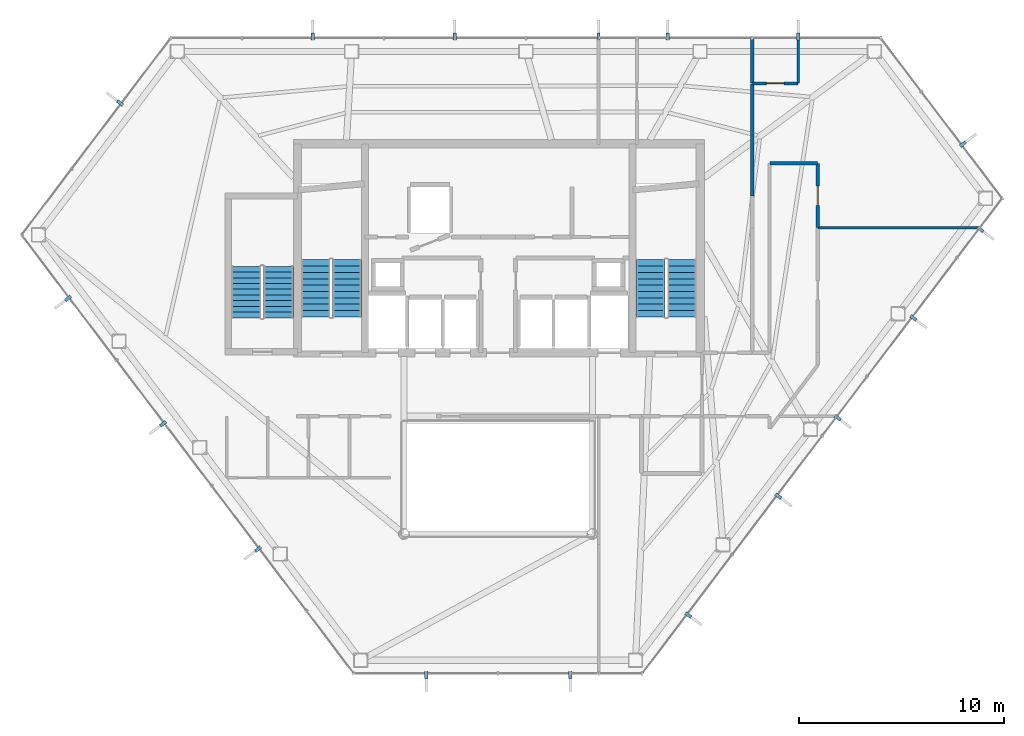
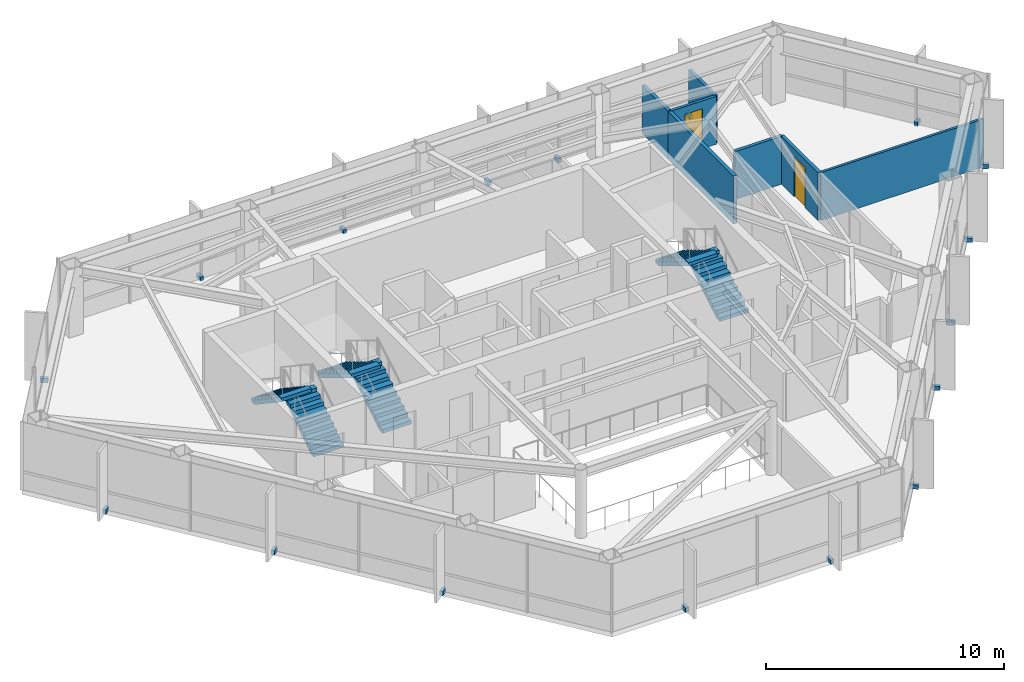
# One storey, part 27 of 28: 17 discrete accessories, 7 walls, 6 stair flights, 2 doors, 2 openings, 3 elements without a shape of their own.
"""IFC4 building model written with IfcOpenShell, lengths in metres."""

import ifcopenshell
import ifcopenshell.guid

model = None  # the IFC model being written
_history = None  # IfcOwnerHistory: only IFC2X3 demands one
_inside = {}  # id of a spatial element -> (the spatial element, [elements in it])
_under = {}  # id of a project, library or spatial element -> (it, [spatial elements below it])
_declared = {}  # id of a project -> (the project, [libraries it declares])
_typed = {}  # id of a type object -> (the type object, [elements of that type])
_made_of = {}  # id of a material, layer set ... -> (it, [elements and type objects made of it])


def new_model(schema):
    """Start an empty IFC model of exactly this schema.

    Asked for "IFC4X3", IfcOpenShell would pick the latest addendum, in which some entities
    have other attributes; the version numbers below select the first issue.
    IFC2X3 requires an IfcOwnerHistory on every rooted entity: one is made here for all.
    """
    global model, _history
    if schema == "IFC4X3":
        model = ifcopenshell.file(schema_version=(4, 3, 0, 0))
    else:
        model = ifcopenshell.file(schema=schema)
    _inside.clear()
    _under.clear()
    _declared.clear()
    _typed.clear()
    _made_of.clear()
    _history = None
    if model.schema == "IFC2X3":
        org = make("IfcOrganization", Name="unknown")
        user = make(
            "IfcPersonAndOrganization",
            ThePerson=make("IfcPerson", FamilyName="unknown"),
            TheOrganization=org,
        )
        app = make(
            "IfcApplication",
            ApplicationDeveloper=org,
            Version="unknown",
            ApplicationFullName="unknown",
            ApplicationIdentifier="unknown",
        )
        _history = make(
            "IfcOwnerHistory",
            OwningUser=user,
            OwningApplication=app,
            ChangeAction="ADDED",
            CreationDate=0,
        )
    return model


def make(cls, **values):
    """One entity of the class cls with the attributes given. An attribute that is None is left unset."""
    return model.create_entity(
        cls, **{name: value for name, value in values.items() if value is not None}
    )


def rooted(cls, **values):
    """An entity with a GlobalId (a new one), such as an element, a storey or a relation."""
    return make(cls, GlobalId=ifcopenshell.guid.new(), OwnerHistory=_history, **values)


def si_unit(unit_type, name, prefix=None):
    """IfcSIUnit, for example si_unit("LENGTHUNIT", "METRE", prefix="MILLI")."""
    return make("IfcSIUnit", UnitType=unit_type, Prefix=prefix, Name=name)


def assignment(units):
    """IfcUnitAssignment: the units of a project."""
    return None if units is None else make("IfcUnitAssignment", Units=units)


def point(xyz):
    """IfcCartesianPoint."""
    return None if xyz is None else make("IfcCartesianPoint", Coordinates=xyz)


def direction(xyz):
    """IfcDirection."""
    return None if xyz is None else make("IfcDirection", DirectionRatios=xyz)


def frame(location, z_axis=None, x_axis=None):
    """IfcAxis2Placement3D, a coordinate frame: its origin and axes. An axis left out is left unset."""
    return make(
        "IfcAxis2Placement3D",
        Location=point(location),
        Axis=direction(z_axis),
        RefDirection=direction(x_axis),
    )


def frame_2d(location, x_axis=None):
    """IfcAxis2Placement2D, a coordinate frame in the plane: its origin and x axis."""
    return make(
        "IfcAxis2Placement2D", Location=point(location), RefDirection=direction(x_axis)
    )


def origin():
    """The frame at (0, 0, 0) with its axes left unset."""
    return frame((0.0, 0.0, 0.0))


def origin_2d():
    """The frame at (0, 0) in the plane with its x axis left unset."""
    return frame_2d((0.0, 0.0))


def place(relative_to, where):
    """IfcLocalPlacement: puts the frame where relative to a parent placement (None: the world)."""
    return make(
        "IfcLocalPlacement", PlacementRelTo=relative_to, RelativePlacement=where
    )


def context(
    kind, dimensions, precision=None, world=None, true_north=None, identifier=None
):
    """IfcGeometricRepresentationContext, for example the 3D "Model" context."""
    return make(
        "IfcGeometricRepresentationContext",
        ContextIdentifier=identifier,
        ContextType=kind,
        CoordinateSpaceDimension=dimensions,
        Precision=precision,
        WorldCoordinateSystem=world,
        TrueNorth=true_north,
    )


def subcontext(parent, identifier, kind, view, scale=None):
    """IfcGeometricRepresentationSubContext, for example "Body" below "Model"."""
    return make(
        "IfcGeometricRepresentationSubContext",
        ContextIdentifier=identifier,
        ContextType=kind,
        ParentContext=parent,
        TargetScale=scale,
        TargetView=view,
    )


def project(units=None, contexts=None):
    """IfcProject with its units and contexts."""
    return rooted(
        "IfcProject",
        Name="project",
        RepresentationContexts=contexts,
        UnitsInContext=assignment(units),
    )


def spatial(cls, under=None, at=None, **own):
    """A site, building, storey or space (cls), placed at a placement, below another one or the project."""
    s = rooted(cls, ObjectPlacement=at, **own)
    if under is not None:
        _under.setdefault(under.id(), (under, []))[1].append(s)
    return s


def polyline(points):
    """IfcPolyline through the points."""
    return make("IfcPolyline", Points=[point(p) for p in points])


def profile(cls, at=None, kind="AREA", **sizes):
    """A parametric profile (cls). Its sizes go by their IFC names, for example OverallWidth=200.0."""
    return make(cls, ProfileType=kind, Position=at, **sizes)


def rectangle(**sizes):
    """IfcRectangleProfileDef."""
    return profile("IfcRectangleProfileDef", **sizes)


def outline(outer, holes=None, kind="AREA"):
    """IfcArbitraryClosedProfileDef: a profile drawn as a closed curve; with holes, ...WithVoids."""
    if holes is None:
        return make("IfcArbitraryClosedProfileDef", ProfileType=kind, OuterCurve=outer)
    return make(
        "IfcArbitraryProfileDefWithVoids",
        ProfileType=kind,
        OuterCurve=outer,
        InnerCurves=holes,
    )


def extrude(swept, where, along, depth):
    """IfcExtrudedAreaSolid: the profile swept, set in the frame where, extruded along a direction by depth."""
    return make(
        "IfcExtrudedAreaSolid",
        SweptArea=swept,
        Position=where,
        ExtrudedDirection=direction(along),
        Depth=depth,
    )


def shape(context_of_items, identifier, shape_type, items):
    """IfcShapeRepresentation: the items that make up one representation, for example the "Body"."""
    return make(
        "IfcShapeRepresentation",
        ContextOfItems=context_of_items,
        RepresentationIdentifier=identifier,
        RepresentationType=shape_type,
        Items=items,
    )


def material(Name=None, Category=None):
    """IfcMaterial."""
    return make("IfcMaterial", Name=Name, Category=Category)


def layer(
    of_material, thickness, ventilated=None, Name=None, Category=None, Priority=None
):
    """IfcMaterialLayer: one layer of a wall or slab, of a material (None: an air gap)."""
    return make(
        "IfcMaterialLayer",
        Material=of_material,
        LayerThickness=thickness,
        IsVentilated=ventilated,
        Name=Name,
        Category=Category,
        Priority=Priority,
    )


def layer_set(layers, Name=None):
    """IfcMaterialLayerSet."""
    return make("IfcMaterialLayerSet", MaterialLayers=layers, LayerSetName=Name)


def made_of(thing, what):
    """Note that an element or type object is made of a material, layer set ...; save() writes the relation."""
    if what is not None:
        _made_of.setdefault(what.id(), (what, []))[1].append(thing)
    return thing


def type_object(cls, material=None, **own):
    """A type object (cls), such as IfcWallType, which elements share."""
    return made_of(rooted(cls, **own), material)


def element(
    cls,
    number,
    at=None,
    inside=None,
    cuts=None,
    type_object=None,
    material=None,
    context=None,
    identifier="Body",
    shape_type=None,
    held_by="IfcProductDefinitionShape",
    body=None,
    shapes=None,
    **own,
):
    """One element of the class cls, such as IfcWall. Its Tag is "e" and its number.

    at: its placement. inside: the storey or other place that contains it. cuts: it is an
    opening in that element (IfcRelVoidsElement). A single representation is given by context,
    identifier, shape_type and body (its items); several are given by shapes. held_by: the class
    of the entity that holds the representations. save() writes the other relations.
    """
    e = rooted(cls, Tag="e%d" % number, ObjectPlacement=at, **own)
    if body is not None:
        shapes = [shape(context, identifier, shape_type, body)]
    if shapes is not None:
        e.Representation = make(held_by, Representations=shapes)
    if inside is not None:
        _inside.setdefault(inside.id(), (inside, []))[1].append(e)
    if cuts is not None:
        rooted(
            "IfcRelVoidsElement", RelatingBuildingElement=cuts, RelatedOpeningElement=e
        )
    if type_object is not None:
        _typed.setdefault(type_object.id(), (type_object, []))[1].append(e)
    return made_of(e, material)


def fill(opening, filler):
    """IfcRelFillsElement: the door or window that sits in an opening."""
    return rooted(
        "IfcRelFillsElement",
        RelatingOpeningElement=opening,
        RelatedBuildingElement=filler,
    )


def aggregate(whole, parts):
    """IfcRelAggregates: a whole, such as a stair, and the parts it consists of."""
    return rooted("IfcRelAggregates", RelatingObject=whole, RelatedObjects=parts)


def save(model, path):
    """Write the relations noted so far, then the file.

    IfcRelAggregates (storeys below a building ...), IfcRelContainedInSpatialStructure (elements
    in a storey), IfcRelDefinesByType, IfcRelAssociatesMaterial and IfcRelDeclares: one each for
    every whole, place, type object, material and project.
    """
    for whole, parts in _under.values():
        aggregate(whole, parts)
    for where, things in _inside.values():
        rooted(
            "IfcRelContainedInSpatialStructure",
            RelatedElements=things,
            RelatingStructure=where,
        )
    for kind, things in _typed.values():
        rooted("IfcRelDefinesByType", RelatedObjects=things, RelatingType=kind)
    for what, things in _made_of.values():
        rooted("IfcRelAssociatesMaterial", RelatedObjects=things, RelatingMaterial=what)
    for by, libraries in _declared.values():
        rooted("IfcRelDeclares", RelatingContext=by, RelatedDefinitions=libraries)
    model.write(path)


model = new_model("IFC4")

# Units and contexts
model_context = context("Model", 3, precision=1e-05, world=origin(), true_north=direction((0.0, 1.0)))
body_context = subcontext(model_context, "Body", "Model", "MODEL_VIEW")
ifc_project = project(units=[si_unit("LENGTHUNIT", "METRE"), si_unit("AREAUNIT", "SQUARE_METRE"), si_unit("VOLUMEUNIT", "CUBIC_METRE"), si_unit("PLANEANGLEUNIT", "RADIAN"), si_unit("MASSUNIT", "GRAM", prefix="KILO")], contexts=[model_context])

# Site, building, storey
site_placement = place(None, origin())
site = spatial("IfcSite", under=ifc_project, at=site_placement, CompositionType="ELEMENT")
building_placement = place(site_placement, origin())
building = spatial("IfcBuilding", under=site, at=building_placement, Name="Zarrinselat Tower", CompositionType="ELEMENT")
storey_placement = place(building_placement, frame((0.0, 0.0, 187.0)))
storey = spatial("IfcBuildingStorey", under=building, at=storey_placement, Name="L46", CompositionType="ELEMENT", Elevation=187.0)

# Walls
ifc_material_1 = material(Name="Fire-Rated Gypsum Board Partition", Category="gypsum")
ifc_layer_1 = layer(ifc_material_1, 0.1650390625)
ifc_layer_set_1 = layer_set([ifc_layer_1], Name="Fire-Rated Gypsum Board Partition")
wall_type_1 = type_object("IfcWallType", Name="WAL-PART-DEMISE", PredefinedType="PARTITIONING", material=ifc_layer_set_1)
wall_1_placement = place(storey_placement, frame((50.800048828125, 40.897705078125, 0.0), z_axis=(0.0, 0.0, 1.0), x_axis=(0.0, 1.0, 0.0)))
element("IfcWall", 1, at=wall_1_placement, inside=storey, type_object=wall_type_1, Name="L46 Partition Wall 50", PredefinedType="PARTITIONING", context=body_context, shape_type="SweptSolid", body=[
    extrude(rectangle(XDim=5.477783203125, YDim=0.1650390625, at=frame_2d((2.73876953125, 0.0))), origin(), (0.0, 0.0, 1.0), 2.45703125),
])
wall_2_placement = place(storey_placement, frame((50.800048828125, 46.41552734375, 0.0), z_axis=(0.0, 0.0, 1.0), x_axis=(0.0, 1.0, 0.0)))
element("IfcWall", 2, at=wall_2_placement, inside=storey, type_object=wall_type_1, Name="L46 Partition Wall 51", PredefinedType="PARTITIONING", context=body_context, shape_type="SweptSolid", body=[
    extrude(rectangle(XDim=2.175048828125, YDim=0.1650390625, at=frame_2d((1.08740234375, 0.0))), origin(), (0.0, 0.0, 1.0), 2.45703125),
])
ifc_material_2 = material(Name="Fire-Rated Gypsum Board Partition", Category="gypsum")
ifc_layer_2 = layer(ifc_material_2, 0.14990234375)
ifc_layer_set_2 = layer_set([ifc_layer_2], Name="Fire-Rated Gypsum Board Partition")
wall_type_2 = type_object("IfcWallType", Name="WAL-PART-EI60", PredefinedType="PARTITIONING", material=ifc_layer_set_2)
wall_3_placement = place(storey_placement, frame((51.669921875, 42.5, 0.0), z_axis=(0.0, 0.0, 1.0), x_axis=(1.0, 0.0, 0.0)))
element("IfcWall", 3, at=wall_3_placement, inside=storey, type_object=wall_type_2, Name="L46 Partition Wall 30", PredefinedType="PARTITIONING", context=body_context, shape_type="SweptSolid", body=[
    extrude(rectangle(XDim=2.31005859375, YDim=0.14990234375, at=frame_2d((1.155029296875, 0.0))), origin(), (0.0, 0.0, 1.0), 2.45703125),
])

# Wall, opening, door
wall_4_placement = place(storey_placement, frame((54.0, 39.352783203125, 0.0), z_axis=(0.0, 0.0, 1.0), x_axis=(0.0, 1.0, 0.0)))
wall_4 = element("IfcWall", 4, at=wall_4_placement, inside=storey, type_object=wall_type_2, Name="L46 Partition Wall 31", PredefinedType="PARTITIONING", context=body_context, shape_type="SweptSolid", body=[
    extrude(rectangle(XDim=3.127197265625, YDim=0.14990234375, at=frame_2d((1.5634765625, 0.0))), origin(), (0.0, 0.0, 1.0), 2.45703125),
])
opening_1_placement = place(wall_4_placement, frame((1.093505859375, 0.0, 0.0)))
opening_1 = element("IfcOpeningElement", 5, at=opening_1_placement, cuts=wall_4, Name="Opening ID-04", PredefinedType="OPENING", context=body_context, shape_type="SweptSolid", body=[
    extrude(rectangle(XDim=0.93994140625, YDim=2.050048828125, at=frame_2d((0.469970703125, 1.02490234375))), frame((0.0, 0.0849609375, 0.0), z_axis=(0.0, -1.0, 0.0), x_axis=(1.0, 0.0, 0.0)), (0.0, 0.0, 1.0), 0.169921875),
])
ifc_material_3 = material(Name="Fire-Rated Gypsum Board Partition")
door_type_1 = type_object("IfcDoorType", Name="DR-INT-FD30-ENT", OperationType="NOTDEFINED", PredefinedType="DOOR", material=ifc_material_3)
door_1_placement = place(opening_1_placement, origin())
door_1 = element("IfcDoor", 6, at=door_1_placement, inside=storey, type_object=door_type_1, Name="L46 Interior Door P31", OperationType="SINGLE_SWING_LEFT", OverallHeight=2.050048828125, OverallWidth=0.93994140625, PredefinedType="DOOR", context=body_context, shape_type="SweptSolid", body=[
    extrude(rectangle(XDim=0.93994140625, YDim=2.050048828125, at=frame_2d((0.469970703125, 1.02490234375))), frame((0.0, 0.02490234375, 0.0), z_axis=(0.0, -1.0, 0.0), x_axis=(1.0, 0.0, 0.0)), (0.0, 0.0, 1.0), 0.050048828125),
])
fill(opening_1, door_1)

# Wall
ifc_material_4 = material(Name="Fire-Rated Gypsum Board Partition", Category="gypsum")
ifc_layer_3 = layer(ifc_material_4, 0.1201171875)
ifc_layer_set_3 = layer_set([ifc_layer_3], Name="Fire-Rated Gypsum Board Partition")
wall_type_3 = type_object("IfcWallType", Name="WAL-PART-STD", PredefinedType="PARTITIONING", material=ifc_layer_set_3)
wall_5_placement = place(storey_placement, frame((54.02001953125, 39.347900390625, 0.0), z_axis=(0.0, 0.0, 1.0), x_axis=(1.0, 0.0, 0.0)))
element("IfcWall", 7, at=wall_5_placement, inside=storey, type_object=wall_type_3, Name="L46 Partition Wall 45", PredefinedType="PARTITIONING", context=body_context, shape_type="SweptSolid", body=[
    extrude(rectangle(XDim=7.87939453125, YDim=0.1201171875, at=frame_2d((3.939697265625, 0.0))), origin(), (0.0, 0.0, 1.0), 2.45703125),
])

# Wall, opening, door
ifc_material_5 = material(Name="Fire-Rated Gypsum Board Partition", Category="gypsum")
ifc_layer_4 = layer(ifc_material_5, 0.135009765625)
ifc_layer_set_4 = layer_set([ifc_layer_4], Name="Fire-Rated Gypsum Board Partition")
wall_type_4 = type_object("IfcWallType", Name="WAL-PART-WET", PredefinedType="PARTITIONING", material=ifc_layer_set_4)
wall_6_placement = place(storey_placement, frame((50.820068359375, 46.3955078125, 0.0), z_axis=(0.0, 0.0, 1.0), x_axis=(1.0, 0.0, 0.0)))
wall_6 = element("IfcWall", 8, at=wall_6_placement, inside=storey, type_object=wall_type_4, Name="L46 Partition Wall 46", PredefinedType="PARTITIONING", context=body_context, shape_type="SweptSolid", body=[
    extrude(rectangle(XDim=2.2099609375, YDim=0.135009765625, at=frame_2d((1.10498046875, 0.0))), origin(), (0.0, 0.0, 1.0), 2.45703125),
])
opening_2_placement = place(wall_6_placement, frame((0.675048828125, 0.0, 0.0)))
opening_2 = element("IfcOpeningElement", 9, at=opening_2_placement, cuts=wall_6, Name="Opening ID-06", PredefinedType="OPENING", context=body_context, shape_type="SweptSolid", body=[
    extrude(rectangle(XDim=0.860107421875, YDim=2.050048828125, at=frame_2d((0.43017578125, 1.02490234375))), frame((0.0, 0.077392578125, 0.0), z_axis=(0.0, -1.0, 0.0), x_axis=(1.0, 0.0, 0.0)), (0.0, 0.0, 1.0), 0.155029296875),
])
ifc_material_6 = material(Name="Extruded Aluminium Alloy EN AW-6063 T6", Category="aluminium")
door_type_2 = type_object("IfcDoorType", Name="DR-INT-WET-900", OperationType="NOTDEFINED", PredefinedType="DOOR", material=ifc_material_6)
door_2_placement = place(opening_2_placement, origin())
door_2 = element("IfcDoor", 10, at=door_2_placement, inside=storey, type_object=door_type_2, Name="L46 Interior Door P46", OperationType="SINGLE_SWING_LEFT", OverallHeight=2.050048828125, OverallWidth=0.860107421875, PredefinedType="DOOR", context=body_context, shape_type="SweptSolid", body=[
    extrude(rectangle(XDim=0.860107421875, YDim=2.050048828125, at=frame_2d((0.43017578125, 1.02490234375))), frame((0.0, 0.02490234375, 0.0), z_axis=(0.0, -1.0, 0.0), x_axis=(1.0, 0.0, 0.0)), (0.0, 0.0, 1.0), 0.050048828125),
])
fill(opening_2, door_2)

# Wall
wall_7_placement = place(storey_placement, frame((53.050048828125, 46.41552734375, 0.0), z_axis=(0.0, 0.0, 1.0), x_axis=(0.0, 1.0, 0.0)))
element("IfcWall", 11, at=wall_7_placement, inside=storey, type_object=wall_type_4, Name="L46 Partition Wall 47", PredefinedType="PARTITIONING", context=body_context, shape_type="SweptSolid", body=[
    extrude(rectangle(XDim=2.175048828125, YDim=0.135009765625, at=frame_2d((1.08740234375, 0.0))), origin(), (0.0, 0.0, 1.0), 2.45703125),
])

# Stair, stair flights
ifc_material_7 = material(Name="Concrete C40/50", Category="concrete")
stair_type_1 = type_object("IfcStairType", Name="STR-CORE-145", PredefinedType="HALF_TURN_STAIR", material=ifc_material_7)
stair_1_placement = place(storey_placement, origin())
stair_1 = element("IfcStair", 12, at=stair_1_placement, inside=storey, type_object=stair_type_1, Name="L46 Podium & Mid-Tower Exit Stair 3", PredefinedType="HALF_TURN_STAIR")
ifc_material_8 = material(Name="Concrete C40/50", Category="concrete")
stair_flight_type_1 = type_object("IfcStairFlightType", Name="STR-FLT-145", PredefinedType="STRAIGHT", material=ifc_material_8)
stair_flight_1_placement = place(storey_placement, frame((27.675048828125, 34.949951171875, 0.0), z_axis=(0.0, 0.0, 1.0), x_axis=(0.0, 1.0, 0.0)))
stair_flight_1 = element("IfcStairFlight", 13, at=stair_flight_1_placement, type_object=stair_flight_type_1, Name="ST-3 flight 1", NumberOfRisers=10, NumberOfTreads=9, PredefinedType="STRAIGHT", RiserHeight=0.187, TreadLength=0.28, context=body_context, shape_type="SweptSolid", body=[
    extrude(outline(polyline([(0.0, 0.0), (0.0, 0.18701171875), (0.280029296875, 0.18701171875), (0.280029296875, 0.3740234375), (0.56005859375, 0.3740234375), (0.56005859375, 0.56103515625), (0.840087890625, 0.56103515625), (0.840087890625, 0.748046875), (1.1201171875, 0.748046875), (1.1201171875, 0.93505859375), (1.39990234375, 0.93505859375), (1.39990234375, 1.1220703125), (1.679931640625, 1.1220703125), (1.679931640625, 1.30908203125), (1.9599609375, 1.30908203125), (1.9599609375, 1.49609375), (2.239990234375, 1.49609375), (2.239990234375, 1.68310546875), (2.52001953125, 1.68310546875), (2.52001953125, 1.8701171875), (2.52001953125, 1.502685546875), (0.27001953125, 0.0), (0.0, 0.0)])), frame((0.0, 0.72509765625, 0.0), z_axis=(0.0, -1.0, 0.0), x_axis=(1.0, 0.0, 0.0)), (0.0, 0.0, 1.0), 1.449951171875),
])
stair_flight_2_placement = place(storey_placement, frame((26.10498046875, 37.469970703125, 1.8701171875), z_axis=(0.0, 0.0, 1.0), x_axis=(0.0, -1.0, 0.0)))
stair_flight_2 = element("IfcStairFlight", 14, at=stair_flight_2_placement, type_object=stair_flight_type_1, Name="ST-3 flight 2", NumberOfRisers=10, NumberOfTreads=9, PredefinedType="STRAIGHT", RiserHeight=0.187, TreadLength=0.28, context=body_context, shape_type="SweptSolid", body=[
    extrude(outline(polyline([(0.0, 0.0), (0.0, 0.18701171875), (0.280029296875, 0.18701171875), (0.280029296875, 0.3740234375), (0.56005859375, 0.3740234375), (0.56005859375, 0.56103515625), (0.840087890625, 0.56103515625), (0.840087890625, 0.748046875), (1.1201171875, 0.748046875), (1.1201171875, 0.93505859375), (1.39990234375, 0.93505859375), (1.39990234375, 1.1220703125), (1.679931640625, 1.1220703125), (1.679931640625, 1.30908203125), (1.9599609375, 1.30908203125), (1.9599609375, 1.49609375), (2.239990234375, 1.49609375), (2.239990234375, 1.68310546875), (2.52001953125, 1.68310546875), (2.52001953125, 1.8701171875), (2.52001953125, 1.502685546875), (0.27001953125, 0.0), (0.0, 0.0)])), frame((0.0, 0.72509765625, 0.0), z_axis=(0.0, -1.0, 0.0), x_axis=(1.0, 0.0, 0.0)), (0.0, 0.0, 1.0), 1.449951171875),
])
aggregate(stair_1, [stair_flight_1, stair_flight_2])

ifc_material_9 = material(Name="Concrete C40/50", Category="concrete")
stair_type_2 = type_object("IfcStairType", Name="STR-CORE-155", PredefinedType="HALF_TURN_STAIR", material=ifc_material_9)
stair_2_placement = place(storey_placement, origin())
stair_2 = element("IfcStair", 15, at=stair_2_placement, inside=storey, type_object=stair_type_2, Name="L46 Core Exit Stair 1", PredefinedType="HALF_TURN_STAIR")
ifc_material_10 = material(Name="Concrete C40/50", Category="concrete")
stair_flight_type_2 = type_object("IfcStairFlightType", Name="STR-FLT-155", PredefinedType="STRAIGHT", material=ifc_material_10)
stair_flight_3_placement = place(storey_placement, frame((31.02001953125, 35.0, 0.0), z_axis=(0.0, 0.0, 1.0), x_axis=(0.0, 1.0, 0.0)))
stair_flight_3 = element("IfcStairFlight", 16, at=stair_flight_3_placement, type_object=stair_flight_type_2, Name="ST-1 flight 1", NumberOfRisers=10, NumberOfTreads=9, PredefinedType="STRAIGHT", RiserHeight=0.187, TreadLength=0.31, context=body_context, shape_type="SweptSolid", body=[
    extrude(outline(polyline([(0.0, 0.0), (0.0, 0.18701171875), (0.31005859375, 0.18701171875), (0.31005859375, 0.3740234375), (0.6201171875, 0.3740234375), (0.6201171875, 0.56103515625), (0.929931640625, 0.56103515625), (0.929931640625, 0.748046875), (1.239990234375, 0.748046875), (1.239990234375, 0.93505859375), (1.550048828125, 0.93505859375), (1.550048828125, 1.1220703125), (1.860107421875, 1.1220703125), (1.860107421875, 1.30908203125), (2.169921875, 1.30908203125), (2.169921875, 1.49609375), (2.47998046875, 1.49609375), (2.47998046875, 1.68310546875), (2.7900390625, 1.68310546875), (2.7900390625, 1.8701171875), (2.7900390625, 1.508056640625), (0.290283203125, 0.0), (0.0, 0.0)])), frame((0.0, 0.699951171875, 0.0), z_axis=(0.0, -1.0, 0.0), x_axis=(1.0, 0.0, 0.0)), (0.0, 0.0, 1.0), 1.39990234375),
])
stair_flight_4_placement = place(storey_placement, frame((29.5, 37.7900390625, 1.8701171875), z_axis=(0.0, 0.0, 1.0), x_axis=(0.0, -1.0, 0.0)))
stair_flight_4 = element("IfcStairFlight", 17, at=stair_flight_4_placement, type_object=stair_flight_type_2, Name="ST-1 flight 2", NumberOfRisers=10, NumberOfTreads=9, PredefinedType="STRAIGHT", RiserHeight=0.187, TreadLength=0.31, context=body_context, shape_type="SweptSolid", body=[
    extrude(outline(polyline([(0.0, 0.0), (0.0, 0.18701171875), (0.31005859375, 0.18701171875), (0.31005859375, 0.3740234375), (0.6201171875, 0.3740234375), (0.6201171875, 0.56103515625), (0.929931640625, 0.56103515625), (0.929931640625, 0.748046875), (1.239990234375, 0.748046875), (1.239990234375, 0.93505859375), (1.550048828125, 0.93505859375), (1.550048828125, 1.1220703125), (1.860107421875, 1.1220703125), (1.860107421875, 1.30908203125), (2.169921875, 1.30908203125), (2.169921875, 1.49609375), (2.47998046875, 1.49609375), (2.47998046875, 1.68310546875), (2.7900390625, 1.68310546875), (2.7900390625, 1.8701171875), (2.7900390625, 1.508056640625), (0.290283203125, 0.0), (0.0, 0.0)])), frame((0.0, 0.699951171875, 0.0), z_axis=(0.0, -1.0, 0.0), x_axis=(1.0, 0.0, 0.0)), (0.0, 0.0, 1.0), 1.39990234375),
])
aggregate(stair_2, [stair_flight_3, stair_flight_4])

stair_3_placement = place(storey_placement, origin())
stair_3 = element("IfcStair", 18, at=stair_3_placement, inside=storey, type_object=stair_type_2, Name="L46 Core Exit Stair 2", PredefinedType="HALF_TURN_STAIR")
stair_flight_5_placement = place(storey_placement, frame((47.360107421875, 35.0, 0.0), z_axis=(0.0, 0.0, 1.0), x_axis=(0.0, 1.0, 0.0)))
stair_flight_5 = element("IfcStairFlight", 19, at=stair_flight_5_placement, type_object=stair_flight_type_2, Name="ST-2 flight 1", NumberOfRisers=10, NumberOfTreads=9, PredefinedType="STRAIGHT", RiserHeight=0.187, TreadLength=0.31, context=body_context, shape_type="SweptSolid", body=[
    extrude(outline(polyline([(0.0, 0.0), (0.0, 0.18701171875), (0.31005859375, 0.18701171875), (0.31005859375, 0.3740234375), (0.6201171875, 0.3740234375), (0.6201171875, 0.56103515625), (0.929931640625, 0.56103515625), (0.929931640625, 0.748046875), (1.239990234375, 0.748046875), (1.239990234375, 0.93505859375), (1.550048828125, 0.93505859375), (1.550048828125, 1.1220703125), (1.860107421875, 1.1220703125), (1.860107421875, 1.30908203125), (2.169921875, 1.30908203125), (2.169921875, 1.49609375), (2.47998046875, 1.49609375), (2.47998046875, 1.68310546875), (2.7900390625, 1.68310546875), (2.7900390625, 1.8701171875), (2.7900390625, 1.508056640625), (0.290283203125, 0.0), (0.0, 0.0)])), frame((0.0, 0.699951171875, 0.0), z_axis=(0.0, -1.0, 0.0), x_axis=(1.0, 0.0, 0.0)), (0.0, 0.0, 1.0), 1.39990234375),
])
stair_flight_6_placement = place(storey_placement, frame((45.840087890625, 37.7900390625, 1.8701171875), z_axis=(0.0, 0.0, 1.0), x_axis=(0.0, -1.0, 0.0)))
stair_flight_6 = element("IfcStairFlight", 20, at=stair_flight_6_placement, type_object=stair_flight_type_2, Name="ST-2 flight 2", NumberOfRisers=10, NumberOfTreads=9, PredefinedType="STRAIGHT", RiserHeight=0.187, TreadLength=0.31, context=body_context, shape_type="SweptSolid", body=[
    extrude(outline(polyline([(0.0, 0.0), (0.0, 0.18701171875), (0.31005859375, 0.18701171875), (0.31005859375, 0.3740234375), (0.6201171875, 0.3740234375), (0.6201171875, 0.56103515625), (0.929931640625, 0.56103515625), (0.929931640625, 0.748046875), (1.239990234375, 0.748046875), (1.239990234375, 0.93505859375), (1.550048828125, 0.93505859375), (1.550048828125, 1.1220703125), (1.860107421875, 1.1220703125), (1.860107421875, 1.30908203125), (2.169921875, 1.30908203125), (2.169921875, 1.49609375), (2.47998046875, 1.49609375), (2.47998046875, 1.68310546875), (2.7900390625, 1.68310546875), (2.7900390625, 1.8701171875), (2.7900390625, 1.508056640625), (0.290283203125, 0.0), (0.0, 0.0)])), frame((0.0, 0.699951171875, 0.0), z_axis=(0.0, -1.0, 0.0), x_axis=(1.0, 0.0, 0.0)), (0.0, 0.0, 1.0), 1.39990234375),
])
aggregate(stair_3, [stair_flight_5, stair_flight_6])

# Discrete accessories
ifc_material_11 = material(Name="Steel S355J2", Category="steel")
discrete_accessory_type = type_object("IfcDiscreteAccessoryType", Name="ACC-FIN-BRACKET", PredefinedType="BRACKET", material=ifc_material_11)
for number, where, z_axis, x_axis, name in (
    (21, (53.050048828125, 48.675537109375, -0.0498046875), (0.0, 0.0, 1.0), (0.0, 1.0, 0.0), "L46 Fin Fixing Bracket CW-L46-E01-01"),
    (22, (46.6845703125, 48.675537109375, -0.0498046875), (0.0, 0.0, 1.0), (0.0, 1.0, 0.0), "L46 Fin Fixing Bracket CW-L46-E01-03"),
    (23, (43.300048828125, 48.675537109375, -0.0498046875), (0.0, 0.0, 1.0), (0.0, 1.0, 0.0), "L46 Fin Fixing Bracket CW-L46-E01-05"),
    (24, (36.2861328125, 48.675537109375, -0.0498046875), (0.0, 0.0, 1.0), (0.0, 1.0, 0.0), "L46 Fin Fixing Bracket CW-L46-E01-07"),
    (25, (29.35400390625, 48.675537109375, -0.0498046875), (0.0, 0.0, 1.0), (0.0, 1.0, 0.0), "L46 Fin Fixing Bracket CW-L46-E01-09"),
    (26, (19.94091796875, 45.447021484375, -0.0498046875), (0.0, 0.0, 1.0), (-0.797095053884, 0.603853852413, 0.0), "L46 Fin Fixing Bracket CW-L46-E02-01"),
    (27, (17.40869140625, 35.901611328125, -0.0498046875), (0.0, 0.0, 1.0), (-0.7970925825, -0.603857114659, 0.0), "L46 Fin Fixing Bracket CW-L46-E03-01"),
    (28, (22.043701171875, 29.783203125, -0.0498046875), (0.0, 0.0, 1.0), (-0.7970925825, -0.603857114659, 0.0), "L46 Fin Fixing Bracket CW-L46-E03-03"),
    (29, (26.6787109375, 23.665283203125, -0.0498046875), (0.0, 0.0, 1.0), (-0.7970925825, -0.603857114659, 0.0), "L46 Fin Fixing Bracket CW-L46-E03-05"),
    (30, (34.884765625, 17.519287109375, -0.0498046875), (0.0, 0.0, 1.0), (0.0, -1.0, 0.0), "L46 Fin Fixing Bracket CW-L46-E04-01"),
    (31, (41.915283203125, 17.519287109375, -0.0498046875), (0.0, 0.0, 1.0), (0.0, -1.0, 0.0), "L46 Fin Fixing Bracket CW-L46-E04-03"),
    (32, (47.68310546875, 20.447021484375, -0.0498046875), (0.0, 0.0, 1.0), (0.797092950005, -0.603856629551, 0.0), "L46 Fin Fixing Bracket CW-L46-E05-01"),
    (33, (52.076904296875, 26.24658203125, -0.0498046875), (0.0, 0.0, 1.0), (0.797092950005, -0.603856629551, 0.0), "L46 Fin Fixing Bracket CW-L46-E05-03"),
    (34, (54.974609375, 30.071533203125, -0.0498046875), (0.0, 0.0, 1.0), (0.797092950005, -0.603856629551, 0.0), "L46 Fin Fixing Bracket CW-L46-E05-05"),
    (35, (58.66748046875, 34.946044921875, -0.0498046875), (0.0, 0.0, 1.0), (0.797092950005, -0.603856629551, 0.0), "L46 Fin Fixing Bracket CW-L46-E05-07"),
    (36, (61.942626953125, 39.269287109375, -0.0498046875), (0.0, 0.0, 1.0), (0.797092950005, -0.603856629551, 0.0), "L46 Fin Fixing Bracket CW-L46-E05-09"),
    (37, (61.087158203125, 43.436279296875, -0.0498046875), (0.0, 0.0, 1.0), (0.797089619916, 0.603861025256, 0.0), "L46 Fin Fixing Bracket CW-L46-E06-01"),
):
    element("IfcDiscreteAccessory", number, at=place(storey_placement, frame(where, z_axis=z_axis, x_axis=x_axis)), inside=storey, type_object=discrete_accessory_type, Name=name, PredefinedType="BRACKET", context=body_context, shape_type="SweptSolid", body=[
        extrude(rectangle(XDim=0.340087890625, YDim=0.159912109375, at=origin_2d()), origin(), (0.0, 0.0, 1.0), 0.219970703125),
    ])

save(model, "model.ifc")
